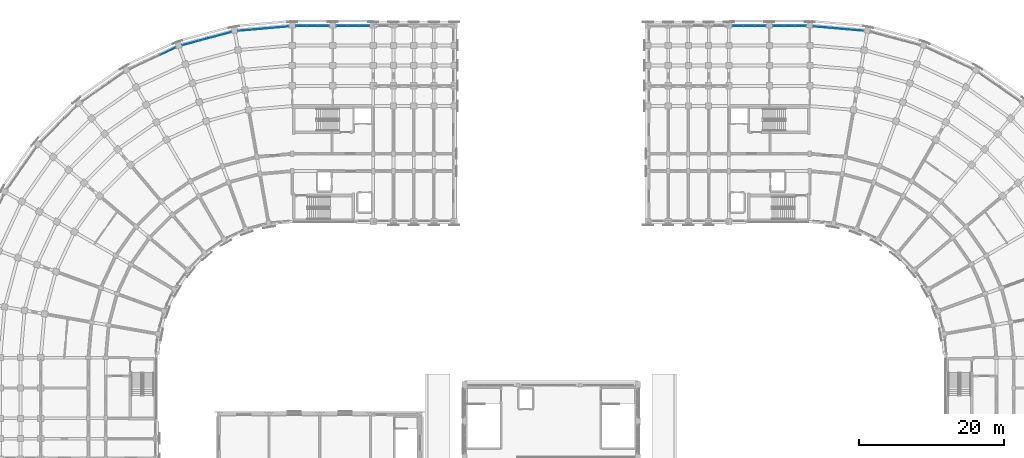
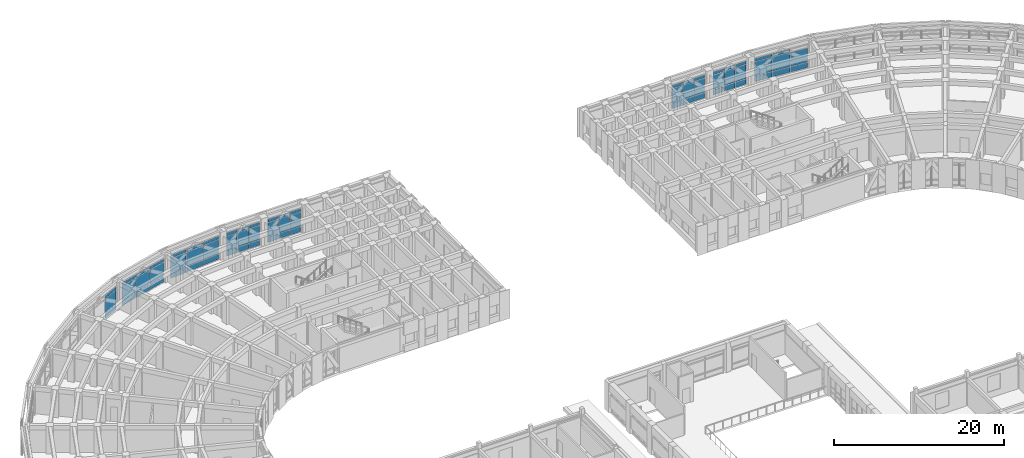
# One storey, part 55 of 97: 65 plates, 8 elements without a shape of their own.
"""IFC4 building model written with IfcOpenShell, lengths in metres."""

from ifc_helpers import new_model, si_unit, direction, frame, origin, origin_2d, place, context, subcontext, project, spatial, rectangle, extrude, material, layer, layer_set, type_object, element, aggregate, save


model = new_model("IFC4")

# Units and contexts
model_context = context("Model", 3, precision=1e-05, world=origin(), true_north=direction((0.0, 1.0)))
body_context = subcontext(model_context, "Body", "Model", "MODEL_VIEW")
ifc_project = project(units=[si_unit("LENGTHUNIT", "METRE"), si_unit("AREAUNIT", "SQUARE_METRE"), si_unit("VOLUMEUNIT", "CUBIC_METRE"), si_unit("PLANEANGLEUNIT", "RADIAN"), si_unit("MASSUNIT", "GRAM", prefix="KILO")], contexts=[model_context])

# Site, building, storey
site_placement = place(None, origin())
site = spatial("IfcSite", under=ifc_project, at=site_placement, CompositionType="ELEMENT")
building_placement = place(site_placement, origin())
building = spatial("IfcBuilding", under=site, at=building_placement, Name="Kiranvali Square Residences", CompositionType="ELEMENT")
storey_placement = place(building_placement, frame((0.0, 0.0, 4.5)))
storey = spatial("IfcBuildingStorey", under=building, at=storey_placement, Name="L01", CompositionType="ELEMENT", Elevation=4.5)

# Curtain wall, plates
ifc_material_1 = material(Name="Anodised bronze aluminium framing", Category="aluminium")
curtain_wall_type = type_object("IfcCurtainWallType", Name="CW-RET-SHOP", PredefinedType="USERDEFINED", material=ifc_material_1)
curtain_wall_1_placement = place(storey_placement, origin())
curtain_wall_1 = element("IfcCurtainWall", 1, at=curtain_wall_1_placement, inside=storey, type_object=curtain_wall_type, Name="Block A L01 rounded-corner arcade curtain wall 1", ObjectType="CURTAIN WALL", PredefinedType="USERDEFINED")
ifc_material_2 = material(Name="Solar-control low-e double glazing", Category="glass")
ifc_layer_1 = layer(ifc_material_2, 0.028076171875)
ifc_layer_set_1 = layer_set([ifc_layer_1], Name="Solar-control low-e double glazing")
plate_type_1 = type_object("IfcPlateType", Name="PLT-CW-GLZ", PredefinedType="CURTAIN_PANEL", material=ifc_layer_set_1)
plate_1_placement = place(storey_placement, frame((46.52978515625, 133.50341796875, 0.889892578125), z_axis=(0.0, 0.0, 1.0), x_axis=(-0.996194698092, -0.087155742748, 0.0)))
plate_1 = element("IfcPlate", 2, at=plate_1_placement, type_object=plate_type_1, Name="CW-A-L01-CRV-00 glazed panel 1.2", PredefinedType="CURTAIN_PANEL", context=body_context, shape_type="SweptSolid", body=[
    extrude(rectangle(XDim=2.239501953125, YDim=0.028076171875, at=origin_2d()), origin(), (0.0, 0.0, 1.0), 2.0),
])
plate_2_placement = place(storey_placement, frame((46.52978515625, 133.50341796875, 2.97021484375), z_axis=(0.0, 0.0, 1.0), x_axis=(-0.996194698092, -0.087155742748, 0.0)))
plate_2 = element("IfcPlate", 3, at=plate_2_placement, type_object=plate_type_1, Name="CW-A-L01-CRV-00 glazed panel 1.3", PredefinedType="CURTAIN_PANEL", context=body_context, shape_type="SweptSolid", body=[
    extrude(rectangle(XDim=2.239501953125, YDim=0.028076171875, at=origin_2d()), origin(), (0.0, 0.0, 1.0), 0.429931640625),
])
plate_3_placement = place(storey_placement, frame((44.21923828125, 133.30126953125, 0.889892578125), z_axis=(0.0, 0.0, 1.0), x_axis=(-0.996194698092, -0.087155742748, 0.0)))
plate_3 = element("IfcPlate", 4, at=plate_3_placement, type_object=plate_type_1, Name="CW-A-L01-CRV-00 glazed panel 2.2", PredefinedType="CURTAIN_PANEL", context=body_context, shape_type="SweptSolid", body=[
    extrude(rectangle(XDim=2.239501953125, YDim=0.028076171875, at=origin_2d()), origin(), (0.0, 0.0, 1.0), 2.0),
])
plate_4_placement = place(storey_placement, frame((44.21923828125, 133.30126953125, 2.97021484375), z_axis=(0.0, 0.0, 1.0), x_axis=(-0.996194698092, -0.087155742748, 0.0)))
plate_4 = element("IfcPlate", 5, at=plate_4_placement, type_object=plate_type_1, Name="CW-A-L01-CRV-00 glazed panel 2.3", PredefinedType="CURTAIN_PANEL", context=body_context, shape_type="SweptSolid", body=[
    extrude(rectangle(XDim=2.239501953125, YDim=0.028076171875, at=origin_2d()), origin(), (0.0, 0.0, 1.0), 0.429931640625),
])
plate_5_placement = place(storey_placement, frame((41.908447265625, 133.09912109375, 0.889892578125), z_axis=(0.0, 0.0, 1.0), x_axis=(-0.996194698092, -0.087155742748, 0.0)))
plate_5 = element("IfcPlate", 6, at=plate_5_placement, type_object=plate_type_1, Name="CW-A-L01-CRV-00 glazed panel 3.2", PredefinedType="CURTAIN_PANEL", context=body_context, shape_type="SweptSolid", body=[
    extrude(rectangle(XDim=2.239501953125, YDim=0.028076171875, at=origin_2d()), origin(), (0.0, 0.0, 1.0), 2.0),
])
plate_6_placement = place(storey_placement, frame((41.908447265625, 133.09912109375, 2.97021484375), z_axis=(0.0, 0.0, 1.0), x_axis=(-0.996194698092, -0.087155742748, 0.0)))
plate_6 = element("IfcPlate", 7, at=plate_6_placement, type_object=plate_type_1, Name="CW-A-L01-CRV-00 glazed panel 3.3", PredefinedType="CURTAIN_PANEL", context=body_context, shape_type="SweptSolid", body=[
    extrude(rectangle(XDim=2.239501953125, YDim=0.028076171875, at=origin_2d()), origin(), (0.0, 0.0, 1.0), 0.429931640625),
])

curtain_wall_2_placement = place(storey_placement, origin())
curtain_wall_2 = element("IfcCurtainWall", 8, at=curtain_wall_2_placement, inside=storey, type_object=curtain_wall_type, Name="Block A L01 rounded-corner arcade curtain wall 2", ObjectType="CURTAIN WALL", PredefinedType="USERDEFINED")
plate_7_placement = place(storey_placement, frame((38.618896484375, 132.51904296875, 0.889892578125), z_axis=(0.0, 0.0, 1.0), x_axis=(-0.965925826289, -0.258819045103, 0.0)))
plate_7 = element("IfcPlate", 9, at=plate_7_placement, type_object=plate_type_1, Name="CW-A-L01-CRV-01 glazed panel 1.2", PredefinedType="CURTAIN_PANEL", context=body_context, shape_type="SweptSolid", body=[
    extrude(rectangle(XDim=2.239501953125, YDim=0.028076171875, at=origin_2d()), origin(), (0.0, 0.0, 1.0), 2.0),
])
plate_8_placement = place(storey_placement, frame((38.618896484375, 132.51904296875, 2.97021484375), z_axis=(0.0, 0.0, 1.0), x_axis=(-0.965925826289, -0.258819045103, 0.0)))
plate_8 = element("IfcPlate", 10, at=plate_8_placement, type_object=plate_type_1, Name="CW-A-L01-CRV-01 glazed panel 1.3", PredefinedType="CURTAIN_PANEL", context=body_context, shape_type="SweptSolid", body=[
    extrude(rectangle(XDim=2.239501953125, YDim=0.028076171875, at=origin_2d()), origin(), (0.0, 0.0, 1.0), 0.429931640625),
])
plate_9_placement = place(storey_placement, frame((36.37841796875, 131.918701171875, 0.889892578125), z_axis=(0.0, 0.0, 1.0), x_axis=(-0.965925826289, -0.258819045103, 0.0)))
plate_9 = element("IfcPlate", 11, at=plate_9_placement, type_object=plate_type_1, Name="CW-A-L01-CRV-01 glazed panel 2.2", PredefinedType="CURTAIN_PANEL", context=body_context, shape_type="SweptSolid", body=[
    extrude(rectangle(XDim=2.239501953125, YDim=0.028076171875, at=origin_2d()), origin(), (0.0, 0.0, 1.0), 2.0),
])
plate_10_placement = place(storey_placement, frame((36.37841796875, 131.918701171875, 2.97021484375), z_axis=(0.0, 0.0, 1.0), x_axis=(-0.965925826289, -0.258819045103, 0.0)))
plate_10 = element("IfcPlate", 12, at=plate_10_placement, type_object=plate_type_1, Name="CW-A-L01-CRV-01 glazed panel 2.3", PredefinedType="CURTAIN_PANEL", context=body_context, shape_type="SweptSolid", body=[
    extrude(rectangle(XDim=2.239501953125, YDim=0.028076171875, at=origin_2d()), origin(), (0.0, 0.0, 1.0), 0.429931640625),
])
plate_11_placement = place(storey_placement, frame((34.137939453125, 131.318359375, 0.889892578125), z_axis=(0.0, 0.0, 1.0), x_axis=(-0.965925826289, -0.258819045103, 0.0)))
plate_11 = element("IfcPlate", 13, at=plate_11_placement, type_object=plate_type_1, Name="CW-A-L01-CRV-01 glazed panel 3.2", PredefinedType="CURTAIN_PANEL", context=body_context, shape_type="SweptSolid", body=[
    extrude(rectangle(XDim=2.239501953125, YDim=0.028076171875, at=origin_2d()), origin(), (0.0, 0.0, 1.0), 2.0),
])
plate_12_placement = place(storey_placement, frame((34.137939453125, 131.318359375, 2.97021484375), z_axis=(0.0, 0.0, 1.0), x_axis=(-0.965925826289, -0.258819045103, 0.0)))
plate_12 = element("IfcPlate", 14, at=plate_12_placement, type_object=plate_type_1, Name="CW-A-L01-CRV-01 glazed panel 3.3", PredefinedType="CURTAIN_PANEL", context=body_context, shape_type="SweptSolid", body=[
    extrude(rectangle(XDim=2.239501953125, YDim=0.028076171875, at=origin_2d()), origin(), (0.0, 0.0, 1.0), 0.429931640625),
])

curtain_wall_3_placement = place(storey_placement, origin())
curtain_wall_3 = element("IfcCurtainWall", 15, at=curtain_wall_3_placement, inside=storey, type_object=curtain_wall_type, Name="Block A L01 rounded-corner arcade curtain wall 3", ObjectType="CURTAIN WALL", PredefinedType="USERDEFINED")
plate_13_placement = place(storey_placement, frame((30.9990234375, 130.17578125, 0.889892578125), z_axis=(0.0, 0.0, 1.0), x_axis=(-0.906307787037, -0.422618261741, 0.0)))
plate_13 = element("IfcPlate", 16, at=plate_13_placement, type_object=plate_type_1, Name="CW-A-L01-CRV-02 glazed panel 1.2", PredefinedType="CURTAIN_PANEL", context=body_context, shape_type="SweptSolid", body=[
    extrude(rectangle(XDim=2.239501953125, YDim=0.028076171875, at=origin_2d()), origin(), (0.0, 0.0, 1.0), 2.0),
])
plate_14_placement = place(storey_placement, frame((30.9990234375, 130.17578125, 2.97021484375), z_axis=(0.0, 0.0, 1.0), x_axis=(-0.906307787037, -0.422618261741, 0.0)))
plate_14 = element("IfcPlate", 17, at=plate_14_placement, type_object=plate_type_1, Name="CW-A-L01-CRV-02 glazed panel 1.3", PredefinedType="CURTAIN_PANEL", context=body_context, shape_type="SweptSolid", body=[
    extrude(rectangle(XDim=2.239501953125, YDim=0.028076171875, at=origin_2d()), origin(), (0.0, 0.0, 1.0), 0.429931640625),
])

curtain_wall_4_placement = place(storey_placement, origin())
curtain_wall_4 = element("IfcCurtainWall", 18, at=curtain_wall_4_placement, inside=storey, type_object=curtain_wall_type, Name="L01 curtain wall CW-A-L01-A1-0", ObjectType="CURTAIN WALL", PredefinedType="USERDEFINED")
plate_15_placement = place(storey_placement, frame((49.486572265625, 133.679931640625, 0.889892578125), z_axis=(0.0, 0.0, 1.0), x_axis=(1.0, 0.0, 0.0)))
plate_15 = element("IfcPlate", 19, at=plate_15_placement, type_object=plate_type_1, Name="CW-A-L01-A1-0 glazed panel 1.2", PredefinedType="CURTAIN_PANEL", context=body_context, shape_type="SweptSolid", body=[
    extrude(rectangle(XDim=1.433349609375, YDim=0.028076171875, at=origin_2d()), origin(), (0.0, 0.0, 1.0), 2.0),
])
plate_16_placement = place(storey_placement, frame((49.486572265625, 133.679931640625, 2.97021484375), z_axis=(0.0, 0.0, 1.0), x_axis=(1.0, 0.0, 0.0)))
plate_16 = element("IfcPlate", 20, at=plate_16_placement, type_object=plate_type_1, Name="CW-A-L01-A1-0 glazed panel 1.3", PredefinedType="CURTAIN_PANEL", context=body_context, shape_type="SweptSolid", body=[
    extrude(rectangle(XDim=1.433349609375, YDim=0.028076171875, at=origin_2d()), origin(), (0.0, 0.0, 1.0), 0.429931640625),
])
plate_17_placement = place(storey_placement, frame((51.0, 133.679931640625, 0.889892578125), z_axis=(0.0, 0.0, 1.0), x_axis=(1.0, 0.0, 0.0)))
plate_17 = element("IfcPlate", 21, at=plate_17_placement, type_object=plate_type_1, Name="CW-A-L01-A1-0 glazed panel 2.2", PredefinedType="CURTAIN_PANEL", context=body_context, shape_type="SweptSolid", body=[
    extrude(rectangle(XDim=1.433349609375, YDim=0.028076171875, at=origin_2d()), origin(), (0.0, 0.0, 1.0), 2.0),
])
plate_18_placement = place(storey_placement, frame((51.0, 133.679931640625, 2.97021484375), z_axis=(0.0, 0.0, 1.0), x_axis=(1.0, 0.0, 0.0)))
plate_18 = element("IfcPlate", 22, at=plate_18_placement, type_object=plate_type_1, Name="CW-A-L01-A1-0 glazed panel 2.3", PredefinedType="CURTAIN_PANEL", context=body_context, shape_type="SweptSolid", body=[
    extrude(rectangle(XDim=1.433349609375, YDim=0.028076171875, at=origin_2d()), origin(), (0.0, 0.0, 1.0), 0.429931640625),
])
plate_19_placement = place(storey_placement, frame((52.513427734375, 133.679931640625, 0.889892578125), z_axis=(0.0, 0.0, 1.0), x_axis=(1.0, 0.0, 0.0)))
plate_19 = element("IfcPlate", 23, at=plate_19_placement, type_object=plate_type_1, Name="CW-A-L01-A1-0 glazed panel 3.2", PredefinedType="CURTAIN_PANEL", context=body_context, shape_type="SweptSolid", body=[
    extrude(rectangle(XDim=1.433349609375, YDim=0.028076171875, at=origin_2d()), origin(), (0.0, 0.0, 1.0), 2.0),
])
plate_20_placement = place(storey_placement, frame((52.513427734375, 133.679931640625, 2.97021484375), z_axis=(0.0, 0.0, 1.0), x_axis=(1.0, 0.0, 0.0)))
plate_20 = element("IfcPlate", 24, at=plate_20_placement, type_object=plate_type_1, Name="CW-A-L01-A1-0 glazed panel 3.3", PredefinedType="CURTAIN_PANEL", context=body_context, shape_type="SweptSolid", body=[
    extrude(rectangle(XDim=1.433349609375, YDim=0.028076171875, at=origin_2d()), origin(), (0.0, 0.0, 1.0), 0.429931640625),
])

curtain_wall_5_placement = place(storey_placement, origin())
curtain_wall_5 = element("IfcCurtainWall", 25, at=curtain_wall_5_placement, inside=storey, type_object=curtain_wall_type, Name="L01 curtain wall CW-A-L01-A1-1", ObjectType="CURTAIN WALL", PredefinedType="USERDEFINED")
plate_21_placement = place(storey_placement, frame((55.086669921875, 133.679931640625, 0.889892578125), z_axis=(0.0, 0.0, 1.0), x_axis=(1.0, 0.0, 0.0)))
plate_21 = element("IfcPlate", 26, at=plate_21_placement, type_object=plate_type_1, Name="CW-A-L01-A1-1 glazed panel 1.2", PredefinedType="CURTAIN_PANEL", context=body_context, shape_type="SweptSolid", body=[
    extrude(rectangle(XDim=1.433349609375, YDim=0.028076171875, at=origin_2d()), origin(), (0.0, 0.0, 1.0), 2.0),
])
plate_22_placement = place(storey_placement, frame((55.086669921875, 133.679931640625, 2.97021484375), z_axis=(0.0, 0.0, 1.0), x_axis=(1.0, 0.0, 0.0)))
plate_22 = element("IfcPlate", 27, at=plate_22_placement, type_object=plate_type_1, Name="CW-A-L01-A1-1 glazed panel 1.3", PredefinedType="CURTAIN_PANEL", context=body_context, shape_type="SweptSolid", body=[
    extrude(rectangle(XDim=1.433349609375, YDim=0.028076171875, at=origin_2d()), origin(), (0.0, 0.0, 1.0), 0.429931640625),
])
plate_23_placement = place(storey_placement, frame((56.60009765625, 133.679931640625, 0.889892578125), z_axis=(0.0, 0.0, 1.0), x_axis=(1.0, 0.0, 0.0)))
plate_23 = element("IfcPlate", 28, at=plate_23_placement, type_object=plate_type_1, Name="CW-A-L01-A1-1 glazed panel 2.2", PredefinedType="CURTAIN_PANEL", context=body_context, shape_type="SweptSolid", body=[
    extrude(rectangle(XDim=1.433349609375, YDim=0.028076171875, at=origin_2d()), origin(), (0.0, 0.0, 1.0), 2.0),
])
plate_24_placement = place(storey_placement, frame((56.60009765625, 133.679931640625, 2.97021484375), z_axis=(0.0, 0.0, 1.0), x_axis=(1.0, 0.0, 0.0)))
plate_24 = element("IfcPlate", 29, at=plate_24_placement, type_object=plate_type_1, Name="CW-A-L01-A1-1 glazed panel 2.3", PredefinedType="CURTAIN_PANEL", context=body_context, shape_type="SweptSolid", body=[
    extrude(rectangle(XDim=1.433349609375, YDim=0.028076171875, at=origin_2d()), origin(), (0.0, 0.0, 1.0), 0.429931640625),
])
plate_25_placement = place(storey_placement, frame((58.11328125, 133.679931640625, 0.889892578125), z_axis=(0.0, 0.0, 1.0), x_axis=(1.0, 0.0, 0.0)))
plate_25 = element("IfcPlate", 30, at=plate_25_placement, type_object=plate_type_1, Name="CW-A-L01-A1-1 glazed panel 3.2", PredefinedType="CURTAIN_PANEL", context=body_context, shape_type="SweptSolid", body=[
    extrude(rectangle(XDim=1.433349609375, YDim=0.028076171875, at=origin_2d()), origin(), (0.0, 0.0, 1.0), 2.0),
])
plate_26_placement = place(storey_placement, frame((58.11328125, 133.679931640625, 2.97021484375), z_axis=(0.0, 0.0, 1.0), x_axis=(1.0, 0.0, 0.0)))
plate_26 = element("IfcPlate", 31, at=plate_26_placement, type_object=plate_type_1, Name="CW-A-L01-A1-1 glazed panel 3.3", PredefinedType="CURTAIN_PANEL", context=body_context, shape_type="SweptSolid", body=[
    extrude(rectangle(XDim=1.433349609375, YDim=0.028076171875, at=origin_2d()), origin(), (0.0, 0.0, 1.0), 0.429931640625),
])

curtain_wall_6_placement = place(storey_placement, origin())
curtain_wall_6 = element("IfcCurtainWall", 32, at=curtain_wall_6_placement, inside=storey, type_object=curtain_wall_type, Name="Block B L01 rounded-corner arcade curtain wall 1", ObjectType="CURTAIN WALL", PredefinedType="USERDEFINED")
plate_27_placement = place(storey_placement, frame((121.47021484375, 133.50341796875, 0.889892578125), z_axis=(0.0, 0.0, 1.0), x_axis=(0.996194698092, -0.087155742748, 0.0)))
plate_27 = element("IfcPlate", 33, at=plate_27_placement, type_object=plate_type_1, Name="CW-B-L01-CRV-00 glazed panel 1.2", PredefinedType="CURTAIN_PANEL", context=body_context, shape_type="SweptSolid", body=[
    extrude(rectangle(XDim=2.239501953125, YDim=0.028076171875, at=origin_2d()), origin(), (0.0, 0.0, 1.0), 2.0),
])
plate_28_placement = place(storey_placement, frame((121.47021484375, 133.50341796875, 2.97021484375), z_axis=(0.0, 0.0, 1.0), x_axis=(0.996194698092, -0.087155742748, 0.0)))
plate_28 = element("IfcPlate", 34, at=plate_28_placement, type_object=plate_type_1, Name="CW-B-L01-CRV-00 glazed panel 1.3", PredefinedType="CURTAIN_PANEL", context=body_context, shape_type="SweptSolid", body=[
    extrude(rectangle(XDim=2.239501953125, YDim=0.028076171875, at=origin_2d()), origin(), (0.0, 0.0, 1.0), 0.429931640625),
])
plate_29_placement = place(storey_placement, frame((123.78076171875, 133.30126953125, 0.889892578125), z_axis=(0.0, 0.0, 1.0), x_axis=(0.996194698092, -0.087155742748, 0.0)))
plate_29 = element("IfcPlate", 35, at=plate_29_placement, type_object=plate_type_1, Name="CW-B-L01-CRV-00 glazed panel 2.2", PredefinedType="CURTAIN_PANEL", context=body_context, shape_type="SweptSolid", body=[
    extrude(rectangle(XDim=2.239501953125, YDim=0.028076171875, at=origin_2d()), origin(), (0.0, 0.0, 1.0), 2.0),
])
plate_30_placement = place(storey_placement, frame((123.78076171875, 133.30126953125, 2.97021484375), z_axis=(0.0, 0.0, 1.0), x_axis=(0.996194698092, -0.087155742748, 0.0)))
plate_30 = element("IfcPlate", 36, at=plate_30_placement, type_object=plate_type_1, Name="CW-B-L01-CRV-00 glazed panel 2.3", PredefinedType="CURTAIN_PANEL", context=body_context, shape_type="SweptSolid", body=[
    extrude(rectangle(XDim=2.239501953125, YDim=0.028076171875, at=origin_2d()), origin(), (0.0, 0.0, 1.0), 0.429931640625),
])
plate_31_placement = place(storey_placement, frame((126.091552734375, 133.09912109375, 0.889892578125), z_axis=(0.0, 0.0, 1.0), x_axis=(0.996194698092, -0.087155742748, 0.0)))
plate_31 = element("IfcPlate", 37, at=plate_31_placement, type_object=plate_type_1, Name="CW-B-L01-CRV-00 glazed panel 3.2", PredefinedType="CURTAIN_PANEL", context=body_context, shape_type="SweptSolid", body=[
    extrude(rectangle(XDim=2.239501953125, YDim=0.028076171875, at=origin_2d()), origin(), (0.0, 0.0, 1.0), 2.0),
])

curtain_wall_7_placement = place(storey_placement, origin())
curtain_wall_7 = element("IfcCurtainWall", 38, at=curtain_wall_7_placement, inside=storey, type_object=curtain_wall_type, Name="L01 curtain wall CW-B-L01-A1-0", ObjectType="CURTAIN WALL", PredefinedType="USERDEFINED")
plate_32_placement = place(storey_placement, frame((118.513427734375, 133.679931640625, 0.889892578125), z_axis=(0.0, 0.0, 1.0), x_axis=(-1.0, 0.0, 0.0)))
plate_32 = element("IfcPlate", 39, at=plate_32_placement, type_object=plate_type_1, Name="CW-B-L01-A1-0 glazed panel 1.2", PredefinedType="CURTAIN_PANEL", context=body_context, shape_type="SweptSolid", body=[
    extrude(rectangle(XDim=1.433349609375, YDim=0.028076171875, at=origin_2d()), origin(), (0.0, 0.0, 1.0), 2.0),
])
plate_33_placement = place(storey_placement, frame((118.513427734375, 133.679931640625, 2.97021484375), z_axis=(0.0, 0.0, 1.0), x_axis=(-1.0, 0.0, 0.0)))
plate_33 = element("IfcPlate", 40, at=plate_33_placement, type_object=plate_type_1, Name="CW-B-L01-A1-0 glazed panel 1.3", PredefinedType="CURTAIN_PANEL", context=body_context, shape_type="SweptSolid", body=[
    extrude(rectangle(XDim=1.433349609375, YDim=0.028076171875, at=origin_2d()), origin(), (0.0, 0.0, 1.0), 0.429931640625),
])
plate_34_placement = place(storey_placement, frame((117.0, 133.679931640625, 0.889892578125), z_axis=(0.0, 0.0, 1.0), x_axis=(-1.0, 0.0, 0.0)))
plate_34 = element("IfcPlate", 41, at=plate_34_placement, type_object=plate_type_1, Name="CW-B-L01-A1-0 glazed panel 2.2", PredefinedType="CURTAIN_PANEL", context=body_context, shape_type="SweptSolid", body=[
    extrude(rectangle(XDim=1.433349609375, YDim=0.028076171875, at=origin_2d()), origin(), (0.0, 0.0, 1.0), 2.0),
])
plate_35_placement = place(storey_placement, frame((117.0, 133.679931640625, 2.97021484375), z_axis=(0.0, 0.0, 1.0), x_axis=(-1.0, 0.0, 0.0)))
plate_35 = element("IfcPlate", 42, at=plate_35_placement, type_object=plate_type_1, Name="CW-B-L01-A1-0 glazed panel 2.3", PredefinedType="CURTAIN_PANEL", context=body_context, shape_type="SweptSolid", body=[
    extrude(rectangle(XDim=1.433349609375, YDim=0.028076171875, at=origin_2d()), origin(), (0.0, 0.0, 1.0), 0.429931640625),
])
plate_36_placement = place(storey_placement, frame((115.486572265625, 133.679931640625, 0.889892578125), z_axis=(0.0, 0.0, 1.0), x_axis=(-1.0, 0.0, 0.0)))
plate_36 = element("IfcPlate", 43, at=plate_36_placement, type_object=plate_type_1, Name="CW-B-L01-A1-0 glazed panel 3.2", PredefinedType="CURTAIN_PANEL", context=body_context, shape_type="SweptSolid", body=[
    extrude(rectangle(XDim=1.433349609375, YDim=0.028076171875, at=origin_2d()), origin(), (0.0, 0.0, 1.0), 2.0),
])
plate_37_placement = place(storey_placement, frame((115.486572265625, 133.679931640625, 2.97021484375), z_axis=(0.0, 0.0, 1.0), x_axis=(-1.0, 0.0, 0.0)))
plate_37 = element("IfcPlate", 44, at=plate_37_placement, type_object=plate_type_1, Name="CW-B-L01-A1-0 glazed panel 3.3", PredefinedType="CURTAIN_PANEL", context=body_context, shape_type="SweptSolid", body=[
    extrude(rectangle(XDim=1.433349609375, YDim=0.028076171875, at=origin_2d()), origin(), (0.0, 0.0, 1.0), 0.429931640625),
])

curtain_wall_8_placement = place(storey_placement, origin())
curtain_wall_8 = element("IfcCurtainWall", 45, at=curtain_wall_8_placement, inside=storey, type_object=curtain_wall_type, Name="L01 curtain wall CW-B-L01-A1-1", ObjectType="CURTAIN WALL", PredefinedType="USERDEFINED")
plate_38_placement = place(storey_placement, frame((112.913330078125, 133.679931640625, 0.889892578125), z_axis=(0.0, 0.0, 1.0), x_axis=(-1.0, 0.0, 0.0)))
plate_38 = element("IfcPlate", 46, at=plate_38_placement, type_object=plate_type_1, Name="CW-B-L01-A1-1 glazed panel 1.2", PredefinedType="CURTAIN_PANEL", context=body_context, shape_type="SweptSolid", body=[
    extrude(rectangle(XDim=1.433349609375, YDim=0.028076171875, at=origin_2d()), origin(), (0.0, 0.0, 1.0), 2.0),
])
plate_39_placement = place(storey_placement, frame((112.913330078125, 133.679931640625, 2.97021484375), z_axis=(0.0, 0.0, 1.0), x_axis=(-1.0, 0.0, 0.0)))
plate_39 = element("IfcPlate", 47, at=plate_39_placement, type_object=plate_type_1, Name="CW-B-L01-A1-1 glazed panel 1.3", PredefinedType="CURTAIN_PANEL", context=body_context, shape_type="SweptSolid", body=[
    extrude(rectangle(XDim=1.433349609375, YDim=0.028076171875, at=origin_2d()), origin(), (0.0, 0.0, 1.0), 0.429931640625),
])
plate_40_placement = place(storey_placement, frame((111.39990234375, 133.679931640625, 0.889892578125), z_axis=(0.0, 0.0, 1.0), x_axis=(-1.0, 0.0, 0.0)))
plate_40 = element("IfcPlate", 48, at=plate_40_placement, type_object=plate_type_1, Name="CW-B-L01-A1-1 glazed panel 2.2", PredefinedType="CURTAIN_PANEL", context=body_context, shape_type="SweptSolid", body=[
    extrude(rectangle(XDim=1.433349609375, YDim=0.028076171875, at=origin_2d()), origin(), (0.0, 0.0, 1.0), 2.0),
])
plate_41_placement = place(storey_placement, frame((111.39990234375, 133.679931640625, 2.97021484375), z_axis=(0.0, 0.0, 1.0), x_axis=(-1.0, 0.0, 0.0)))
plate_41 = element("IfcPlate", 49, at=plate_41_placement, type_object=plate_type_1, Name="CW-B-L01-A1-1 glazed panel 2.3", PredefinedType="CURTAIN_PANEL", context=body_context, shape_type="SweptSolid", body=[
    extrude(rectangle(XDim=1.433349609375, YDim=0.028076171875, at=origin_2d()), origin(), (0.0, 0.0, 1.0), 0.429931640625),
])
plate_42_placement = place(storey_placement, frame((109.88671875, 133.679931640625, 0.889892578125), z_axis=(0.0, 0.0, 1.0), x_axis=(-1.0, 0.0, 0.0)))
plate_42 = element("IfcPlate", 50, at=plate_42_placement, type_object=plate_type_1, Name="CW-B-L01-A1-1 glazed panel 3.2", PredefinedType="CURTAIN_PANEL", context=body_context, shape_type="SweptSolid", body=[
    extrude(rectangle(XDim=1.433349609375, YDim=0.028076171875, at=origin_2d()), origin(), (0.0, 0.0, 1.0), 2.0),
])
plate_43_placement = place(storey_placement, frame((109.88671875, 133.679931640625, 2.97021484375), z_axis=(0.0, 0.0, 1.0), x_axis=(-1.0, 0.0, 0.0)))
plate_43 = element("IfcPlate", 51, at=plate_43_placement, type_object=plate_type_1, Name="CW-B-L01-A1-1 glazed panel 3.3", PredefinedType="CURTAIN_PANEL", context=body_context, shape_type="SweptSolid", body=[
    extrude(rectangle(XDim=1.433349609375, YDim=0.028076171875, at=origin_2d()), origin(), (0.0, 0.0, 1.0), 0.429931640625),
])

# Plate
ifc_material_3 = material(Name="Honed Porbandar limestone ashlar facade cladding", Category="masonry")
ifc_layer_2 = layer(ifc_material_3, 0.02392578125)
ifc_layer_set_2 = layer_set([ifc_layer_2], Name="Honed Porbandar limestone ashlar facade cladding")
plate_type_2 = type_object("IfcPlateType", Name="PLT-CW-SPN", PredefinedType="SHEET", material=ifc_layer_set_2)
plate_44_placement = place(storey_placement, frame((46.52978515625, 133.50341796875, 0.080078125), z_axis=(0.0, 0.0, 1.0), x_axis=(-0.996194698092, -0.087155742748, 0.0)))
plate_44 = element("IfcPlate", 52, at=plate_44_placement, type_object=plate_type_2, Name="CW-A-L01-CRV-00 spandrel panel 1.1", PredefinedType="SHEET", context=body_context, shape_type="SweptSolid", body=[
    extrude(rectangle(XDim=2.239501953125, YDim=0.02392578125, at=origin_2d()), origin(), (0.0, 0.0, 1.0), 0.72998046875),
])

plate_45_placement = place(storey_placement, frame((44.21923828125, 133.30126953125, 0.080078125), z_axis=(0.0, 0.0, 1.0), x_axis=(-0.996194698092, -0.087155742748, 0.0)))
plate_45 = element("IfcPlate", 53, at=plate_45_placement, type_object=plate_type_2, Name="CW-A-L01-CRV-00 spandrel panel 2.1", PredefinedType="SHEET", context=body_context, shape_type="SweptSolid", body=[
    extrude(rectangle(XDim=2.239501953125, YDim=0.02392578125, at=origin_2d()), origin(), (0.0, 0.0, 1.0), 0.72998046875),
])

plate_46_placement = place(storey_placement, frame((41.908447265625, 133.09912109375, 0.080078125), z_axis=(0.0, 0.0, 1.0), x_axis=(-0.996194698092, -0.087155742748, 0.0)))
plate_46 = element("IfcPlate", 54, at=plate_46_placement, type_object=plate_type_2, Name="CW-A-L01-CRV-00 spandrel panel 3.1", PredefinedType="SHEET", context=body_context, shape_type="SweptSolid", body=[
    extrude(rectangle(XDim=2.239501953125, YDim=0.02392578125, at=origin_2d()), origin(), (0.0, 0.0, 1.0), 0.72998046875),
])

aggregate(curtain_wall_1, [plate_44, plate_1, plate_2, plate_45, plate_3, plate_4, plate_46, plate_5, plate_6])

plate_47_placement = place(storey_placement, frame((38.618896484375, 132.51904296875, 0.080078125), z_axis=(0.0, 0.0, 1.0), x_axis=(-0.965925826289, -0.258819045103, 0.0)))
plate_47 = element("IfcPlate", 55, at=plate_47_placement, type_object=plate_type_2, Name="CW-A-L01-CRV-01 spandrel panel 1.1", PredefinedType="SHEET", context=body_context, shape_type="SweptSolid", body=[
    extrude(rectangle(XDim=2.239501953125, YDim=0.02392578125, at=origin_2d()), origin(), (0.0, 0.0, 1.0), 0.72998046875),
])

plate_48_placement = place(storey_placement, frame((36.37841796875, 131.918701171875, 0.080078125), z_axis=(0.0, 0.0, 1.0), x_axis=(-0.965925826289, -0.258819045103, 0.0)))
plate_48 = element("IfcPlate", 56, at=plate_48_placement, type_object=plate_type_2, Name="CW-A-L01-CRV-01 spandrel panel 2.1", PredefinedType="SHEET", context=body_context, shape_type="SweptSolid", body=[
    extrude(rectangle(XDim=2.239501953125, YDim=0.02392578125, at=origin_2d()), origin(), (0.0, 0.0, 1.0), 0.72998046875),
])

plate_49_placement = place(storey_placement, frame((34.137939453125, 131.318359375, 0.080078125), z_axis=(0.0, 0.0, 1.0), x_axis=(-0.965925826289, -0.258819045103, 0.0)))
plate_49 = element("IfcPlate", 57, at=plate_49_placement, type_object=plate_type_2, Name="CW-A-L01-CRV-01 spandrel panel 3.1", PredefinedType="SHEET", context=body_context, shape_type="SweptSolid", body=[
    extrude(rectangle(XDim=2.239501953125, YDim=0.02392578125, at=origin_2d()), origin(), (0.0, 0.0, 1.0), 0.72998046875),
])

aggregate(curtain_wall_2, [plate_47, plate_7, plate_8, plate_48, plate_9, plate_10, plate_49, plate_11, plate_12])

plate_50_placement = place(storey_placement, frame((30.9990234375, 130.17578125, 0.080078125), z_axis=(0.0, 0.0, 1.0), x_axis=(-0.906307787037, -0.422618261741, 0.0)))
plate_50 = element("IfcPlate", 58, at=plate_50_placement, type_object=plate_type_2, Name="CW-A-L01-CRV-02 spandrel panel 1.1", PredefinedType="SHEET", context=body_context, shape_type="SweptSolid", body=[
    extrude(rectangle(XDim=2.239501953125, YDim=0.02392578125, at=origin_2d()), origin(), (0.0, 0.0, 1.0), 0.72998046875),
])

aggregate(curtain_wall_3, [plate_50, plate_13, plate_14])

plate_51_placement = place(storey_placement, frame((49.486572265625, 133.679931640625, 0.080078125), z_axis=(0.0, 0.0, 1.0), x_axis=(1.0, 0.0, 0.0)))
plate_51 = element("IfcPlate", 59, at=plate_51_placement, type_object=plate_type_2, Name="CW-A-L01-A1-0 spandrel panel 1.1", PredefinedType="SHEET", context=body_context, shape_type="SweptSolid", body=[
    extrude(rectangle(XDim=1.433349609375, YDim=0.02392578125, at=origin_2d()), origin(), (0.0, 0.0, 1.0), 0.72998046875),
])

plate_52_placement = place(storey_placement, frame((51.0, 133.679931640625, 0.080078125), z_axis=(0.0, 0.0, 1.0), x_axis=(1.0, 0.0, 0.0)))
plate_52 = element("IfcPlate", 60, at=plate_52_placement, type_object=plate_type_2, Name="CW-A-L01-A1-0 spandrel panel 2.1", PredefinedType="SHEET", context=body_context, shape_type="SweptSolid", body=[
    extrude(rectangle(XDim=1.433349609375, YDim=0.02392578125, at=origin_2d()), origin(), (0.0, 0.0, 1.0), 0.72998046875),
])

plate_53_placement = place(storey_placement, frame((52.513427734375, 133.679931640625, 0.080078125), z_axis=(0.0, 0.0, 1.0), x_axis=(1.0, 0.0, 0.0)))
plate_53 = element("IfcPlate", 61, at=plate_53_placement, type_object=plate_type_2, Name="CW-A-L01-A1-0 spandrel panel 3.1", PredefinedType="SHEET", context=body_context, shape_type="SweptSolid", body=[
    extrude(rectangle(XDim=1.433349609375, YDim=0.02392578125, at=origin_2d()), origin(), (0.0, 0.0, 1.0), 0.72998046875),
])

aggregate(curtain_wall_4, [plate_51, plate_15, plate_16, plate_52, plate_17, plate_18, plate_53, plate_19, plate_20])

plate_54_placement = place(storey_placement, frame((55.086669921875, 133.679931640625, 0.080078125), z_axis=(0.0, 0.0, 1.0), x_axis=(1.0, 0.0, 0.0)))
plate_54 = element("IfcPlate", 62, at=plate_54_placement, type_object=plate_type_2, Name="CW-A-L01-A1-1 spandrel panel 1.1", PredefinedType="SHEET", context=body_context, shape_type="SweptSolid", body=[
    extrude(rectangle(XDim=1.433349609375, YDim=0.02392578125, at=origin_2d()), origin(), (0.0, 0.0, 1.0), 0.72998046875),
])

plate_55_placement = place(storey_placement, frame((56.60009765625, 133.679931640625, 0.080078125), z_axis=(0.0, 0.0, 1.0), x_axis=(1.0, 0.0, 0.0)))
plate_55 = element("IfcPlate", 63, at=plate_55_placement, type_object=plate_type_2, Name="CW-A-L01-A1-1 spandrel panel 2.1", PredefinedType="SHEET", context=body_context, shape_type="SweptSolid", body=[
    extrude(rectangle(XDim=1.433349609375, YDim=0.02392578125, at=origin_2d()), origin(), (0.0, 0.0, 1.0), 0.72998046875),
])

plate_56_placement = place(storey_placement, frame((58.11328125, 133.679931640625, 0.080078125), z_axis=(0.0, 0.0, 1.0), x_axis=(1.0, 0.0, 0.0)))
plate_56 = element("IfcPlate", 64, at=plate_56_placement, type_object=plate_type_2, Name="CW-A-L01-A1-1 spandrel panel 3.1", PredefinedType="SHEET", context=body_context, shape_type="SweptSolid", body=[
    extrude(rectangle(XDim=1.433349609375, YDim=0.02392578125, at=origin_2d()), origin(), (0.0, 0.0, 1.0), 0.72998046875),
])

aggregate(curtain_wall_5, [plate_54, plate_21, plate_22, plate_55, plate_23, plate_24, plate_56, plate_25, plate_26])

plate_57_placement = place(storey_placement, frame((121.47021484375, 133.50341796875, 0.080078125), z_axis=(0.0, 0.0, 1.0), x_axis=(0.996194698092, -0.087155742748, 0.0)))
plate_57 = element("IfcPlate", 65, at=plate_57_placement, type_object=plate_type_2, Name="CW-B-L01-CRV-00 spandrel panel 1.1", PredefinedType="SHEET", context=body_context, shape_type="SweptSolid", body=[
    extrude(rectangle(XDim=2.239501953125, YDim=0.02392578125, at=origin_2d()), origin(), (0.0, 0.0, 1.0), 0.72998046875),
])

plate_58_placement = place(storey_placement, frame((123.78076171875, 133.30126953125, 0.080078125), z_axis=(0.0, 0.0, 1.0), x_axis=(0.996194698092, -0.087155742748, 0.0)))
plate_58 = element("IfcPlate", 66, at=plate_58_placement, type_object=plate_type_2, Name="CW-B-L01-CRV-00 spandrel panel 2.1", PredefinedType="SHEET", context=body_context, shape_type="SweptSolid", body=[
    extrude(rectangle(XDim=2.239501953125, YDim=0.02392578125, at=origin_2d()), origin(), (0.0, 0.0, 1.0), 0.72998046875),
])

plate_59_placement = place(storey_placement, frame((126.091552734375, 133.09912109375, 0.080078125), z_axis=(0.0, 0.0, 1.0), x_axis=(0.996194698092, -0.087155742748, 0.0)))
plate_59 = element("IfcPlate", 67, at=plate_59_placement, type_object=plate_type_2, Name="CW-B-L01-CRV-00 spandrel panel 3.1", PredefinedType="SHEET", context=body_context, shape_type="SweptSolid", body=[
    extrude(rectangle(XDim=2.239501953125, YDim=0.02392578125, at=origin_2d()), origin(), (0.0, 0.0, 1.0), 0.72998046875),
])

aggregate(curtain_wall_6, [plate_57, plate_27, plate_28, plate_58, plate_29, plate_30, plate_59, plate_31])

plate_60_placement = place(storey_placement, frame((118.513427734375, 133.679931640625, 0.080078125), z_axis=(0.0, 0.0, 1.0), x_axis=(-1.0, 0.0, 0.0)))
plate_60 = element("IfcPlate", 68, at=plate_60_placement, type_object=plate_type_2, Name="CW-B-L01-A1-0 spandrel panel 1.1", PredefinedType="SHEET", context=body_context, shape_type="SweptSolid", body=[
    extrude(rectangle(XDim=1.433349609375, YDim=0.02392578125, at=origin_2d()), origin(), (0.0, 0.0, 1.0), 0.72998046875),
])

plate_61_placement = place(storey_placement, frame((117.0, 133.679931640625, 0.080078125), z_axis=(0.0, 0.0, 1.0), x_axis=(-1.0, 0.0, 0.0)))
plate_61 = element("IfcPlate", 69, at=plate_61_placement, type_object=plate_type_2, Name="CW-B-L01-A1-0 spandrel panel 2.1", PredefinedType="SHEET", context=body_context, shape_type="SweptSolid", body=[
    extrude(rectangle(XDim=1.433349609375, YDim=0.02392578125, at=origin_2d()), origin(), (0.0, 0.0, 1.0), 0.72998046875),
])

plate_62_placement = place(storey_placement, frame((115.486572265625, 133.679931640625, 0.080078125), z_axis=(0.0, 0.0, 1.0), x_axis=(-1.0, 0.0, 0.0)))
plate_62 = element("IfcPlate", 70, at=plate_62_placement, type_object=plate_type_2, Name="CW-B-L01-A1-0 spandrel panel 3.1", PredefinedType="SHEET", context=body_context, shape_type="SweptSolid", body=[
    extrude(rectangle(XDim=1.433349609375, YDim=0.02392578125, at=origin_2d()), origin(), (0.0, 0.0, 1.0), 0.72998046875),
])

aggregate(curtain_wall_7, [plate_60, plate_32, plate_33, plate_61, plate_34, plate_35, plate_62, plate_36, plate_37])

plate_63_placement = place(storey_placement, frame((112.913330078125, 133.679931640625, 0.080078125), z_axis=(0.0, 0.0, 1.0), x_axis=(-1.0, 0.0, 0.0)))
plate_63 = element("IfcPlate", 71, at=plate_63_placement, type_object=plate_type_2, Name="CW-B-L01-A1-1 spandrel panel 1.1", PredefinedType="SHEET", context=body_context, shape_type="SweptSolid", body=[
    extrude(rectangle(XDim=1.433349609375, YDim=0.02392578125, at=origin_2d()), origin(), (0.0, 0.0, 1.0), 0.72998046875),
])

plate_64_placement = place(storey_placement, frame((111.39990234375, 133.679931640625, 0.080078125), z_axis=(0.0, 0.0, 1.0), x_axis=(-1.0, 0.0, 0.0)))
plate_64 = element("IfcPlate", 72, at=plate_64_placement, type_object=plate_type_2, Name="CW-B-L01-A1-1 spandrel panel 2.1", PredefinedType="SHEET", context=body_context, shape_type="SweptSolid", body=[
    extrude(rectangle(XDim=1.433349609375, YDim=0.02392578125, at=origin_2d()), origin(), (0.0, 0.0, 1.0), 0.72998046875),
])

plate_65_placement = place(storey_placement, frame((109.88671875, 133.679931640625, 0.080078125), z_axis=(0.0, 0.0, 1.0), x_axis=(-1.0, 0.0, 0.0)))
plate_65 = element("IfcPlate", 73, at=plate_65_placement, type_object=plate_type_2, Name="CW-B-L01-A1-1 spandrel panel 3.1", PredefinedType="SHEET", context=body_context, shape_type="SweptSolid", body=[
    extrude(rectangle(XDim=1.433349609375, YDim=0.02392578125, at=origin_2d()), origin(), (0.0, 0.0, 1.0), 0.72998046875),
])

aggregate(curtain_wall_8, [plate_63, plate_38, plate_39, plate_64, plate_40, plate_41, plate_65, plate_42, plate_43])

save(model, "model.ifc")
